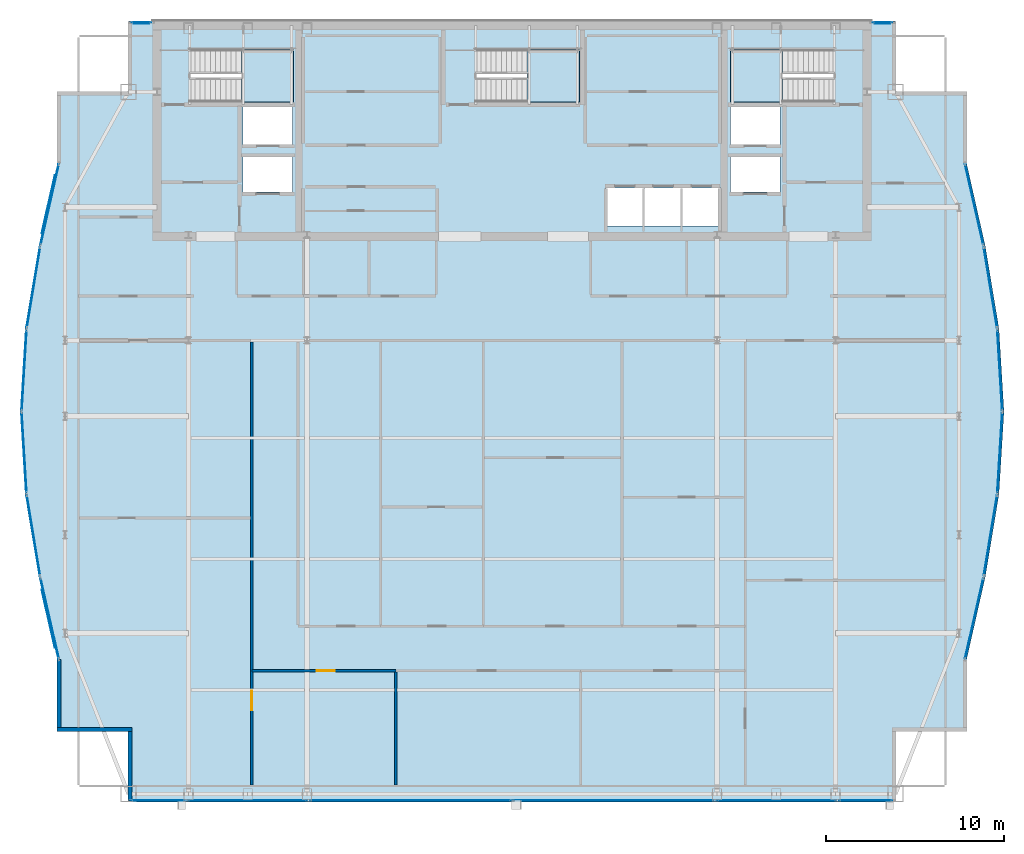
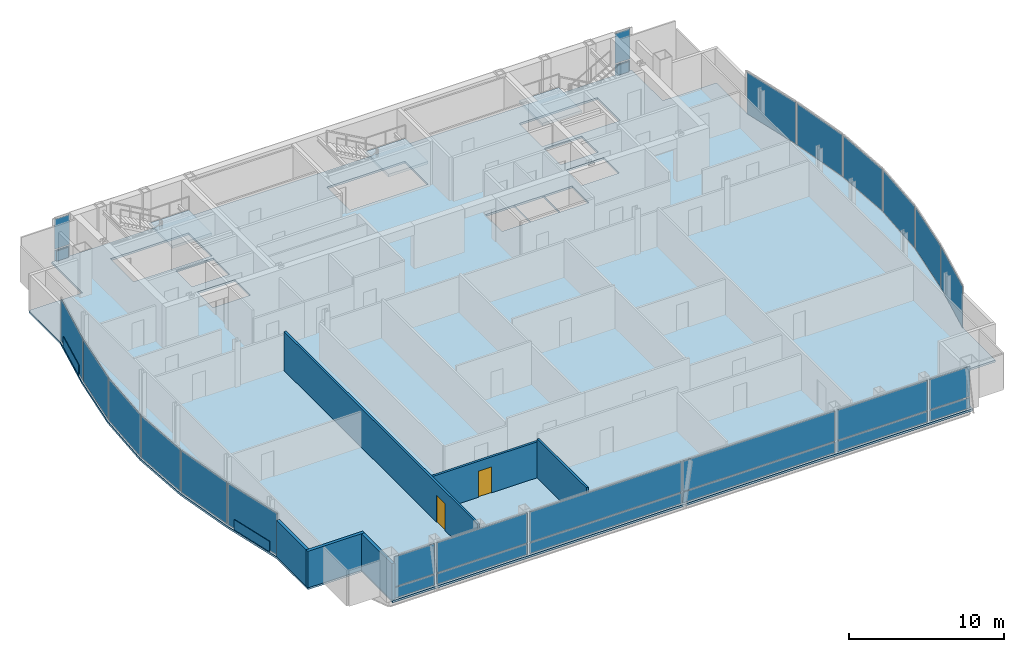
# One storey, part 23 of 29: 32 plates, 6 walls, 4 slabs, 2 doors, 2 openings, 22 elements without a shape of their own.
"""IFC4 building model written with IfcOpenShell, lengths in metres."""

from ifc_helpers import new_model, si_unit, direction, frame, frame_2d, origin, origin_2d, place, context, subcontext, project, spatial, polyline, rectangle, outline, extrude, material, layer, layer_set, type_object, element, fill, aggregate, save


model = new_model("IFC4")

# Units and contexts
model_context = context("Model", 3, precision=1e-05, world=origin(), true_north=direction((0.0, 1.0)))
body_context = subcontext(model_context, "Body", "Model", "MODEL_VIEW")
ifc_project = project(units=[si_unit("LENGTHUNIT", "METRE"), si_unit("AREAUNIT", "SQUARE_METRE"), si_unit("VOLUMEUNIT", "CUBIC_METRE"), si_unit("PLANEANGLEUNIT", "RADIAN"), si_unit("MASSUNIT", "GRAM", prefix="KILO")], contexts=[model_context])

# Site, building, storey
site_placement = place(None, origin())
site = spatial("IfcSite", under=ifc_project, at=site_placement, CompositionType="ELEMENT")
building_placement = place(site_placement, origin())
building = spatial("IfcBuilding", under=site, at=building_placement, Name="Khoronbel Lancet Exchange", CompositionType="ELEMENT")
storey_placement = place(building_placement, frame((0.0, 0.0, 318.199951171875)))
storey = spatial("IfcBuildingStorey", under=building, at=storey_placement, Name="L82", CompositionType="ELEMENT", Elevation=318.199951171875)

# Curtain wall, plate
ifc_material_1 = material(Name="Low-E Solar Control Insulating Glass", Category="glass")
curtain_wall_type_1 = type_object("IfcCurtainWallType", Name="CW-4", PredefinedType="NOTDEFINED", material=ifc_material_1)
curtain_wall_1_placement = place(storey_placement, origin())
curtain_wall_1 = element("IfcCurtainWall", 1, at=curtain_wall_1_placement, inside=storey, type_object=curtain_wall_type_1, Name="Unitised curtain wall CW-L82-E04", PredefinedType="NOTDEFINED")
ifc_material_2 = material(Name="Bronze-Anodised Aluminium 6063-T6", Category="aluminium")
ifc_layer_1 = layer(ifc_material_2, 0.050048828125, Name="Bronze-Anodised Aluminium 6063-T6")
ifc_layer_set_1 = layer_set([ifc_layer_1], Name="Bronze-Anodised Aluminium 6063-T6")
plate_type_1 = type_object("IfcPlateType", Name="PLT-CSP1", PredefinedType="SHEET", material=ifc_layer_set_1)
plate_1_placement = place(storey_placement, frame((10.3525390625, 20.03369140625, 0.0498046875), z_axis=(0.0, 0.0, 1.0), x_axis=(-0.220738011804, 0.975333138033, 0.0)))
plate_1 = element("IfcPlate", 2, at=plate_1_placement, type_object=plate_type_1, Name="Insulated bronze spandrel cassette CW-L82-E04", PredefinedType="SHEET", context=body_context, shape_type="SweptSolid", body=[
    extrude(rectangle(XDim=3.3544921875, YDim=0.050048828125, at=origin_2d()), origin(), (0.0, 0.0, 1.0), 0.800048828125),
])

curtain_wall_2_placement = place(storey_placement, origin())
curtain_wall_2 = element("IfcCurtainWall", 3, at=curtain_wall_2_placement, inside=storey, type_object=curtain_wall_type_1, Name="Unitised curtain wall CW-L82-E05", PredefinedType="NOTDEFINED")
plate_2_placement = place(storey_placement, frame((9.49609375, 24.713623046875, 0.0849609375), z_axis=(0.0, 0.0, 1.0), x_axis=(-0.163478737362, 0.986546857696, 0.0)))
plate_2 = element("IfcPlate", 4, at=plate_2_placement, type_object=plate_type_1, Name="CW4 panel 1.1", PredefinedType="CURTAIN_PANEL", context=body_context, shape_type="SweptSolid", body=[
    extrude(rectangle(XDim=4.572998046875, YDim=0.0380859375, at=origin_2d()), origin(), (0.0, 0.0, 1.0), 3.27001953125),
])
aggregate(curtain_wall_2, [plate_2])

curtain_wall_3_placement = place(storey_placement, origin())
curtain_wall_3 = element("IfcCurtainWall", 5, at=curtain_wall_3_placement, inside=storey, type_object=curtain_wall_type_1, Name="Unitised curtain wall CW-L82-E06", PredefinedType="NOTDEFINED")
plate_3_placement = place(storey_placement, frame((8.968994140625, 29.37158203125, 0.0849609375), z_axis=(0.0, 0.0, 1.0), x_axis=(-0.06053389138, 0.998166142481, 0.0)))
plate_3 = element("IfcPlate", 6, at=plate_3_placement, type_object=plate_type_1, Name="CW4 panel 1.1", PredefinedType="CURTAIN_PANEL", context=body_context, shape_type="SweptSolid", body=[
    extrude(rectangle(XDim=4.51513671875, YDim=0.0380859375, at=origin_2d()), origin(), (0.0, 0.0, 1.0), 3.27001953125),
])
aggregate(curtain_wall_3, [plate_3])

curtain_wall_4_placement = place(storey_placement, origin())
curtain_wall_4 = element("IfcCurtainWall", 7, at=curtain_wall_4_placement, inside=storey, type_object=curtain_wall_type_1, Name="Unitised curtain wall CW-L82-E07", PredefinedType="NOTDEFINED")
plate_4_placement = place(storey_placement, frame((8.968994140625, 34.0283203125, 0.0849609375), z_axis=(0.0, 0.0, 1.0), x_axis=(0.06053389138, 0.998166142481, 0.0)))
plate_4 = element("IfcPlate", 8, at=plate_4_placement, type_object=plate_type_1, Name="CW4 panel 1.1", PredefinedType="CURTAIN_PANEL", context=body_context, shape_type="SweptSolid", body=[
    extrude(rectangle(XDim=4.51513671875, YDim=0.0380859375, at=origin_2d()), origin(), (0.0, 0.0, 1.0), 3.27001953125),
])
aggregate(curtain_wall_4, [plate_4])

curtain_wall_5_placement = place(storey_placement, origin())
curtain_wall_5 = element("IfcCurtainWall", 9, at=curtain_wall_5_placement, inside=storey, type_object=curtain_wall_type_1, Name="Unitised curtain wall CW-L82-E08", PredefinedType="NOTDEFINED")
plate_5_placement = place(storey_placement, frame((9.49609375, 38.686279296875, 0.0849609375), z_axis=(0.0, 0.0, 1.0), x_axis=(0.163478737362, 0.986546857696, 0.0)))
plate_5 = element("IfcPlate", 10, at=plate_5_placement, type_object=plate_type_1, Name="CW4 panel 1.1", PredefinedType="CURTAIN_PANEL", context=body_context, shape_type="SweptSolid", body=[
    extrude(rectangle(XDim=4.572998046875, YDim=0.0380859375, at=origin_2d()), origin(), (0.0, 0.0, 1.0), 3.27001953125),
])
aggregate(curtain_wall_5, [plate_5])

curtain_wall_6_placement = place(storey_placement, origin())
curtain_wall_6 = element("IfcCurtainWall", 11, at=curtain_wall_6_placement, inside=storey, type_object=curtain_wall_type_1, Name="Unitised curtain wall CW-L82-E09", PredefinedType="NOTDEFINED")
plate_6_placement = place(storey_placement, frame((10.3525390625, 43.3662109375, 0.0498046875), z_axis=(0.0, 0.0, 1.0), x_axis=(0.220738011804, 0.975333138033, 0.0)))
plate_6 = element("IfcPlate", 12, at=plate_6_placement, type_object=plate_type_1, Name="Insulated bronze spandrel cassette CW-L82-E09", PredefinedType="SHEET", context=body_context, shape_type="SweptSolid", body=[
    extrude(rectangle(XDim=3.3544921875, YDim=0.050048828125, at=origin_2d()), origin(), (0.0, 0.0, 1.0), 0.800048828125),
])

curtain_wall_type_2 = type_object("IfcCurtainWallType", Name="CW-3", PredefinedType="NOTDEFINED", material=ifc_material_1)
curtain_wall_7_placement = place(storey_placement, origin())
curtain_wall_7 = element("IfcCurtainWall", 13, at=curtain_wall_7_placement, inside=storey, type_object=curtain_wall_type_2, Name="Unitised curtain wall CW-L82-NWFLK", PredefinedType="NOTDEFINED")
plate_7_placement = place(storey_placement, frame((15.580078125, 53.550048828125, 0.0498046875), z_axis=(0.0, 0.0, 1.0), x_axis=(-1.0, 0.0, 0.0)))
plate_7 = element("IfcPlate", 14, at=plate_7_placement, type_object=plate_type_1, Name="Insulated bronze spandrel cassette CW-L82-NWFLK", PredefinedType="SHEET", context=body_context, shape_type="SweptSolid", body=[
    extrude(rectangle(XDim=0.89599609375, YDim=0.050048828125, at=origin_2d()), origin(), (0.0, 0.0, 1.0), 0.800048828125),
])

curtain_wall_8_placement = place(storey_placement, origin())
curtain_wall_8 = element("IfcCurtainWall", 15, at=curtain_wall_8_placement, inside=storey, type_object=curtain_wall_type_2, Name="Unitised curtain wall CW-L82-NEFLK", PredefinedType="NOTDEFINED")
plate_8_placement = place(storey_placement, frame((57.320068359375, 53.550048828125, 0.0498046875), z_axis=(0.0, 0.0, 1.0), x_axis=(-1.0, 0.0, 0.0)))
plate_8 = element("IfcPlate", 16, at=plate_8_placement, type_object=plate_type_1, Name="Insulated bronze spandrel cassette CW-L82-NEFLK", PredefinedType="SHEET", context=body_context, shape_type="SweptSolid", body=[
    extrude(rectangle(XDim=0.89599609375, YDim=0.050048828125, at=origin_2d()), origin(), (0.0, 0.0, 1.0), 0.800048828125),
])

curtain_wall_9_placement = place(storey_placement, origin())
curtain_wall_9 = element("IfcCurtainWall", 17, at=curtain_wall_9_placement, inside=storey, type_object=curtain_wall_type_1, Name="Unitised curtain wall CW-L82-E18", PredefinedType="NOTDEFINED")
plate_9_placement = place(storey_placement, frame((63.40380859375, 38.686279296875, 0.0849609375), z_axis=(0.0, 0.0, 1.0), x_axis=(0.163478737362, -0.986546857696, 0.0)))
plate_9 = element("IfcPlate", 18, at=plate_9_placement, type_object=plate_type_1, Name="CW4 panel 1.1", PredefinedType="CURTAIN_PANEL", context=body_context, shape_type="SweptSolid", body=[
    extrude(rectangle(XDim=4.572998046875, YDim=0.0380859375, at=origin_2d()), origin(), (0.0, 0.0, 1.0), 3.27001953125),
])
aggregate(curtain_wall_9, [plate_9])

curtain_wall_10_placement = place(storey_placement, origin())
curtain_wall_10 = element("IfcCurtainWall", 19, at=curtain_wall_10_placement, inside=storey, type_object=curtain_wall_type_1, Name="Unitised curtain wall CW-L82-E19", PredefinedType="NOTDEFINED")
plate_10_placement = place(storey_placement, frame((63.93115234375, 34.0283203125, 0.0849609375), z_axis=(0.0, 0.0, 1.0), x_axis=(0.06053389138, -0.998166142481, 0.0)))
plate_10 = element("IfcPlate", 20, at=plate_10_placement, type_object=plate_type_1, Name="CW4 panel 1.1", PredefinedType="CURTAIN_PANEL", context=body_context, shape_type="SweptSolid", body=[
    extrude(rectangle(XDim=4.51513671875, YDim=0.0380859375, at=origin_2d()), origin(), (0.0, 0.0, 1.0), 3.27001953125),
])
aggregate(curtain_wall_10, [plate_10])

curtain_wall_11_placement = place(storey_placement, origin())
curtain_wall_11 = element("IfcCurtainWall", 21, at=curtain_wall_11_placement, inside=storey, type_object=curtain_wall_type_1, Name="Unitised curtain wall CW-L82-E20", PredefinedType="NOTDEFINED")
plate_11_placement = place(storey_placement, frame((63.93115234375, 29.37158203125, 0.0849609375), z_axis=(0.0, 0.0, 1.0), x_axis=(-0.06053389138, -0.998166142481, 0.0)))
plate_11 = element("IfcPlate", 22, at=plate_11_placement, type_object=plate_type_1, Name="CW4 panel 1.1", PredefinedType="CURTAIN_PANEL", context=body_context, shape_type="SweptSolid", body=[
    extrude(rectangle(XDim=4.51513671875, YDim=0.0380859375, at=origin_2d()), origin(), (0.0, 0.0, 1.0), 3.27001953125),
])
aggregate(curtain_wall_11, [plate_11])

curtain_wall_12_placement = place(storey_placement, origin())
curtain_wall_12 = element("IfcCurtainWall", 23, at=curtain_wall_12_placement, inside=storey, type_object=curtain_wall_type_1, Name="Unitised curtain wall CW-L82-E21", PredefinedType="NOTDEFINED")
plate_12_placement = place(storey_placement, frame((63.40380859375, 24.713623046875, 0.0849609375), z_axis=(0.0, 0.0, 1.0), x_axis=(-0.163478737362, -0.986546857696, 0.0)))
plate_12 = element("IfcPlate", 24, at=plate_12_placement, type_object=plate_type_1, Name="CW4 panel 1.1", PredefinedType="CURTAIN_PANEL", context=body_context, shape_type="SweptSolid", body=[
    extrude(rectangle(XDim=4.572998046875, YDim=0.0380859375, at=origin_2d()), origin(), (0.0, 0.0, 1.0), 3.27001953125),
])
aggregate(curtain_wall_12, [plate_12])

# Curtain wall, plates
curtain_wall_13_placement = place(storey_placement, origin())
curtain_wall_13 = element("IfcCurtainWall", 25, at=curtain_wall_13_placement, inside=storey, type_object=curtain_wall_type_2, Name="Unitised curtain wall CW-L82-SWB", PredefinedType="NOTDEFINED")
plate_13_placement = place(storey_placement, frame((21.550048828125, 9.7900390625, 0.0849609375), z_axis=(0.0, 0.0, 1.0), x_axis=(1.0, 0.0, 0.0)))
plate_13 = element("IfcPlate", 26, at=plate_13_placement, type_object=plate_type_1, Name="CW3 panel 1.1", PredefinedType="CURTAIN_PANEL", context=body_context, shape_type="SweptSolid", body=[
    extrude(rectangle(XDim=6.72998046875, YDim=0.0380859375, at=origin_2d()), origin(), (0.0, 0.0, 1.0), 0.822509765625),
])
plate_14_placement = place(storey_placement, frame((21.550048828125, 9.7900390625, 0.99267578125), z_axis=(0.0, 0.0, 1.0), x_axis=(1.0, 0.0, 0.0)))
plate_14 = element("IfcPlate", 27, at=plate_14_placement, type_object=plate_type_1, Name="CW3 panel 1.2", PredefinedType="CURTAIN_PANEL", context=body_context, shape_type="SweptSolid", body=[
    extrude(rectangle(XDim=6.72998046875, YDim=0.0380859375, at=origin_2d()), origin(), (0.0, 0.0, 1.0), 2.362548828125),
])
aggregate(curtain_wall_13, [plate_13, plate_14])

curtain_wall_14_placement = place(storey_placement, origin())
curtain_wall_14 = element("IfcCurtainWall", 28, at=curtain_wall_14_placement, inside=storey, type_object=curtain_wall_type_2, Name="Unitised curtain wall CW-L82-SEB", PredefinedType="NOTDEFINED")
plate_15_placement = place(storey_placement, frame((51.35009765625, 9.7900390625, 0.0849609375), z_axis=(0.0, 0.0, 1.0), x_axis=(1.0, 0.0, 0.0)))
plate_15 = element("IfcPlate", 29, at=plate_15_placement, type_object=plate_type_1, Name="CW3 panel 1.1", PredefinedType="CURTAIN_PANEL", context=body_context, shape_type="SweptSolid", body=[
    extrude(rectangle(XDim=6.72998046875, YDim=0.0380859375, at=origin_2d()), origin(), (0.0, 0.0, 1.0), 0.822509765625),
])
plate_16_placement = place(storey_placement, frame((51.35009765625, 9.7900390625, 0.99267578125), z_axis=(0.0, 0.0, 1.0), x_axis=(1.0, 0.0, 0.0)))
plate_16 = element("IfcPlate", 30, at=plate_16_placement, type_object=plate_type_1, Name="CW3 panel 1.2", PredefinedType="CURTAIN_PANEL", context=body_context, shape_type="SweptSolid", body=[
    extrude(rectangle(XDim=6.72998046875, YDim=0.0380859375, at=origin_2d()), origin(), (0.0, 0.0, 1.0), 2.362548828125),
])
aggregate(curtain_wall_14, [plate_15, plate_16])

# Plate
ifc_layer_2 = layer(ifc_material_1, 0.035888671875, Name="Low-E Solar Control Insulating Glass")
ifc_layer_set_2 = layer_set([ifc_layer_2], Name="Low-E Solar Control Insulating Glass")
plate_type_2 = type_object("IfcPlateType", Name="PLT-CWP1", PredefinedType="CURTAIN_PANEL", material=ifc_layer_set_2)
plate_17_placement = place(storey_placement, frame((15.580078125, 53.610107421875, 0.0849609375), z_axis=(0.0, 0.0, 1.0), x_axis=(-1.0, 0.0, 0.0)))
plate_17 = element("IfcPlate", 31, at=plate_17_placement, type_object=plate_type_2, Name="CW3 panel 1.1", PredefinedType="CURTAIN_PANEL", context=body_context, shape_type="SweptSolid", body=[
    extrude(rectangle(XDim=1.110107421875, YDim=0.0380859375, at=origin_2d()), origin(), (0.0, 0.0, 1.0), 0.822509765625),
])

plate_18_placement = place(storey_placement, frame((15.580078125, 53.610107421875, 0.99267578125), z_axis=(0.0, 0.0, 1.0), x_axis=(-1.0, 0.0, 0.0)))
plate_18 = element("IfcPlate", 32, at=plate_18_placement, type_object=plate_type_2, Name="CW3 panel 1.2", PredefinedType="CURTAIN_PANEL", context=body_context, shape_type="SweptSolid", body=[
    extrude(rectangle(XDim=1.110107421875, YDim=0.0380859375, at=origin_2d()), origin(), (0.0, 0.0, 1.0), 2.362548828125),
])

aggregate(curtain_wall_7, [plate_17, plate_18, plate_7])

plate_19_placement = place(storey_placement, frame((57.320068359375, 53.610107421875, 0.0849609375), z_axis=(0.0, 0.0, 1.0), x_axis=(-1.0, 0.0, 0.0)))
plate_19 = element("IfcPlate", 33, at=plate_19_placement, type_object=plate_type_2, Name="CW3 panel 1.1", PredefinedType="CURTAIN_PANEL", context=body_context, shape_type="SweptSolid", body=[
    extrude(rectangle(XDim=1.110107421875, YDim=0.0380859375, at=origin_2d()), origin(), (0.0, 0.0, 1.0), 0.822509765625),
])

plate_20_placement = place(storey_placement, frame((57.320068359375, 53.610107421875, 0.99267578125), z_axis=(0.0, 0.0, 1.0), x_axis=(-1.0, 0.0, 0.0)))
plate_20 = element("IfcPlate", 34, at=plate_20_placement, type_object=plate_type_2, Name="CW3 panel 1.2", PredefinedType="CURTAIN_PANEL", context=body_context, shape_type="SweptSolid", body=[
    extrude(rectangle(XDim=1.110107421875, YDim=0.0380859375, at=origin_2d()), origin(), (0.0, 0.0, 1.0), 2.362548828125),
])

aggregate(curtain_wall_8, [plate_19, plate_20, plate_8])

# Curtain wall, plates
curtain_wall_15_placement = place(storey_placement, origin())
curtain_wall_15 = element("IfcCurtainWall", 35, at=curtain_wall_15_placement, inside=storey, type_object=curtain_wall_type_2, Name="Unitised curtain wall CW-L82-SWV", PredefinedType="NOTDEFINED")
plate_21_placement = place(storey_placement, frame((16.52001953125, 9.7900390625, 0.0849609375), z_axis=(0.0, 0.0, 1.0), x_axis=(1.0, 0.0, 0.0)))
plate_21 = element("IfcPlate", 36, at=plate_21_placement, type_object=plate_type_2, Name="CW3 panel 1.1", PredefinedType="CURTAIN_PANEL", context=body_context, shape_type="SweptSolid", body=[
    extrude(rectangle(XDim=2.989990234375, YDim=0.0380859375, at=origin_2d()), origin(), (0.0, 0.0, 1.0), 0.822509765625),
])
plate_22_placement = place(storey_placement, frame((16.52001953125, 9.7900390625, 0.99267578125), z_axis=(0.0, 0.0, 1.0), x_axis=(1.0, 0.0, 0.0)))
plate_22 = element("IfcPlate", 37, at=plate_22_placement, type_object=plate_type_2, Name="CW3 panel 1.2", PredefinedType="CURTAIN_PANEL", context=body_context, shape_type="SweptSolid", body=[
    extrude(rectangle(XDim=2.989990234375, YDim=0.0380859375, at=origin_2d()), origin(), (0.0, 0.0, 1.0), 2.362548828125),
])
aggregate(curtain_wall_15, [plate_21, plate_22])

curtain_wall_16_placement = place(storey_placement, origin())
curtain_wall_16 = element("IfcCurtainWall", 38, at=curtain_wall_16_placement, inside=storey, type_object=curtain_wall_type_2, Name="Unitised curtain wall CW-L82-SCV", PredefinedType="NOTDEFINED")
plate_23_placement = place(storey_placement, frame((30.746337890625, 9.7900390625, 0.0849609375), z_axis=(0.0, 0.0, 1.0), x_axis=(1.0, 0.0, 0.0)))
plate_23 = element("IfcPlate", 39, at=plate_23_placement, type_object=plate_type_2, Name="CW3 panel 1.1", PredefinedType="CURTAIN_PANEL", context=body_context, shape_type="SweptSolid", body=[
    extrude(rectangle(XDim=11.322509765625, YDim=0.0380859375, at=origin_2d()), origin(), (0.0, 0.0, 1.0), 0.822509765625),
])
plate_24_placement = place(storey_placement, frame((30.746337890625, 9.7900390625, 0.99267578125), z_axis=(0.0, 0.0, 1.0), x_axis=(1.0, 0.0, 0.0)))
plate_24 = element("IfcPlate", 40, at=plate_24_placement, type_object=plate_type_2, Name="CW3 panel 1.2", PredefinedType="CURTAIN_PANEL", context=body_context, shape_type="SweptSolid", body=[
    extrude(rectangle(XDim=11.322509765625, YDim=0.0380859375, at=origin_2d()), origin(), (0.0, 0.0, 1.0), 2.362548828125),
])
plate_25_placement = place(storey_placement, frame((42.15380859375, 9.7900390625, 0.0849609375), z_axis=(0.0, 0.0, 1.0), x_axis=(1.0, 0.0, 0.0)))
plate_25 = element("IfcPlate", 41, at=plate_25_placement, type_object=plate_type_2, Name="CW3 panel 2.1", PredefinedType="CURTAIN_PANEL", context=body_context, shape_type="SweptSolid", body=[
    extrude(rectangle(XDim=11.322509765625, YDim=0.0380859375, at=origin_2d()), origin(), (0.0, 0.0, 1.0), 0.822509765625),
])
plate_26_placement = place(storey_placement, frame((42.15380859375, 9.7900390625, 0.99267578125), z_axis=(0.0, 0.0, 1.0), x_axis=(1.0, 0.0, 0.0)))
plate_26 = element("IfcPlate", 42, at=plate_26_placement, type_object=plate_type_2, Name="CW3 panel 2.2", PredefinedType="CURTAIN_PANEL", context=body_context, shape_type="SweptSolid", body=[
    extrude(rectangle(XDim=11.322509765625, YDim=0.0380859375, at=origin_2d()), origin(), (0.0, 0.0, 1.0), 2.362548828125),
])
aggregate(curtain_wall_16, [plate_23, plate_24, plate_25, plate_26])

curtain_wall_17_placement = place(storey_placement, origin())
curtain_wall_17 = element("IfcCurtainWall", 43, at=curtain_wall_17_placement, inside=storey, type_object=curtain_wall_type_2, Name="Unitised curtain wall CW-L82-SEV", PredefinedType="NOTDEFINED")
plate_27_placement = place(storey_placement, frame((56.3798828125, 9.7900390625, 0.0849609375), z_axis=(0.0, 0.0, 1.0), x_axis=(1.0, 0.0, 0.0)))
plate_27 = element("IfcPlate", 44, at=plate_27_placement, type_object=plate_type_2, Name="CW3 panel 1.1", PredefinedType="CURTAIN_PANEL", context=body_context, shape_type="SweptSolid", body=[
    extrude(rectangle(XDim=2.989990234375, YDim=0.0380859375, at=origin_2d()), origin(), (0.0, 0.0, 1.0), 0.822509765625),
])
plate_28_placement = place(storey_placement, frame((56.3798828125, 9.7900390625, 0.99267578125), z_axis=(0.0, 0.0, 1.0), x_axis=(1.0, 0.0, 0.0)))
plate_28 = element("IfcPlate", 45, at=plate_28_placement, type_object=plate_type_2, Name="CW3 panel 1.2", PredefinedType="CURTAIN_PANEL", context=body_context, shape_type="SweptSolid", body=[
    extrude(rectangle(XDim=2.989990234375, YDim=0.0380859375, at=origin_2d()), origin(), (0.0, 0.0, 1.0), 2.362548828125),
])
aggregate(curtain_wall_17, [plate_27, plate_28])

# Plate
ifc_material_3 = material(Name="Ceramic-Fritted Laminated Insulating Glass", Category="glass")
ifc_layer_3 = layer(ifc_material_3, 0.0419921875, Name="Ceramic-Fritted Laminated Insulating Glass")
ifc_layer_set_3 = layer_set([ifc_layer_3], Name="Ceramic-Fritted Laminated Insulating Glass")
plate_type_3 = type_object("IfcPlateType", Name="PLT-CWP2", PredefinedType="CURTAIN_PANEL", material=ifc_layer_set_3)
plate_29_placement = place(storey_placement, frame((10.4111328125, 20.047119140625, 0.0849609375), z_axis=(0.0, 0.0, 1.0), x_axis=(-0.220738011804, 0.975333138033, 0.0)))
plate_29 = element("IfcPlate", 46, at=plate_29_placement, type_object=plate_type_3, Name="CW4 panel 1.1", PredefinedType="CURTAIN_PANEL", context=body_context, shape_type="SweptSolid", body=[
    extrude(rectangle(XDim=4.64208984375, YDim=0.0380859375, at=origin_2d()), origin(), (0.0, 0.0, 1.0), 3.27001953125),
])

aggregate(curtain_wall_1, [plate_29, plate_1])

plate_30_placement = place(storey_placement, frame((10.4111328125, 43.35302734375, 0.0849609375), z_axis=(0.0, 0.0, 1.0), x_axis=(0.220738011804, 0.975333138033, 0.0)))
plate_30 = element("IfcPlate", 47, at=plate_30_placement, type_object=plate_type_3, Name="CW4 panel 1.1", PredefinedType="CURTAIN_PANEL", context=body_context, shape_type="SweptSolid", body=[
    extrude(rectangle(XDim=4.64208984375, YDim=0.0380859375, at=origin_2d()), origin(), (0.0, 0.0, 1.0), 3.27001953125),
])

aggregate(curtain_wall_6, [plate_30, plate_6])

# Curtain wall, plate
curtain_wall_18_placement = place(storey_placement, origin())
curtain_wall_18 = element("IfcCurtainWall", 48, at=curtain_wall_18_placement, inside=storey, type_object=curtain_wall_type_1, Name="Unitised curtain wall CW-L82-E17", PredefinedType="NOTDEFINED")
plate_31_placement = place(storey_placement, frame((62.489013671875, 43.35302734375, 0.0849609375), z_axis=(0.0, 0.0, 1.0), x_axis=(0.220738011804, -0.975333138033, 0.0)))
plate_31 = element("IfcPlate", 49, at=plate_31_placement, type_object=plate_type_3, Name="CW4 panel 1.1", PredefinedType="CURTAIN_PANEL", context=body_context, shape_type="SweptSolid", body=[
    extrude(rectangle(XDim=4.64208984375, YDim=0.0380859375, at=origin_2d()), origin(), (0.0, 0.0, 1.0), 3.27001953125),
])
aggregate(curtain_wall_18, [plate_31])

curtain_wall_19_placement = place(storey_placement, origin())
curtain_wall_19 = element("IfcCurtainWall", 50, at=curtain_wall_19_placement, inside=storey, type_object=curtain_wall_type_1, Name="Unitised curtain wall CW-L82-E22", PredefinedType="NOTDEFINED")
plate_32_placement = place(storey_placement, frame((62.489013671875, 20.047119140625, 0.0849609375), z_axis=(0.0, 0.0, 1.0), x_axis=(-0.220738011804, -0.975333138033, 0.0)))
plate_32 = element("IfcPlate", 51, at=plate_32_placement, type_object=plate_type_3, Name="CW4 panel 1.1", PredefinedType="CURTAIN_PANEL", context=body_context, shape_type="SweptSolid", body=[
    extrude(rectangle(XDim=4.64208984375, YDim=0.0380859375, at=origin_2d()), origin(), (0.0, 0.0, 1.0), 3.27001953125),
])
aggregate(curtain_wall_19, [plate_32])

# Slab
ifc_material_4 = material(Name="Concrete C40/50", Category="concrete")
ifc_layer_4 = layer(ifc_material_4, 0.159912109375, Name="Concrete C40/50")
ifc_layer_set_4 = layer_set([ifc_layer_4], Name="Concrete C40/50")
slab_type_1 = type_object("IfcSlabType", Name="SL-FL160", PredefinedType="FLOOR", material=ifc_layer_set_4)
slab_1_placement = place(storey_placement, frame((0.0, 0.0, -0.159912109375)))
element("IfcSlab", 52, at=slab_1_placement, inside=storey, type_object=slab_type_1, Name="Level L82 composite structural floor slab", PredefinedType="FLOOR", context=body_context, shape_type="SweptSolid", body=[
    extrude(outline(polyline([(14.85009765625, 9.699951171875), (58.050048828125, 9.699951171875), (58.050048828125, 13.699951171875), (62.050048828125, 13.699951171875), (62.050048828125, 17.699951171875), (63.106201171875, 22.36669921875), (63.87939453125, 27.033203125), (64.16259765625, 31.699951171875), (63.87939453125, 36.36669921875), (63.106201171875, 41.033203125), (62.050048828125, 45.699951171875), (62.050048828125, 49.699951171875), (58.050048828125, 49.699951171875), (58.050048828125, 53.699951171875), (14.85009765625, 53.699951171875), (14.85009765625, 49.699951171875), (10.85009765625, 49.699951171875), (10.85009765625, 45.699951171875), (9.793701171875, 41.033203125), (9.0205078125, 36.36669921875), (8.737548828125, 31.699951171875), (9.0205078125, 27.033203125), (9.793701171875, 22.36669921875), (10.85009765625, 17.699951171875), (10.85009765625, 13.699951171875), (14.85009765625, 13.699951171875), (14.85009765625, 9.699951171875)]), holes=[polyline([(18.324951171875, 49.1201171875), (24.14990234375, 49.1201171875), (24.14990234375, 52.10009765625), (18.324951171875, 52.10009765625), (18.324951171875, 49.1201171875)]), polyline([(48.75, 49.1201171875), (54.574951171875, 49.1201171875), (54.574951171875, 52.10009765625), (48.75, 52.10009765625), (48.75, 49.1201171875)]), polyline([(34.425048828125, 49.1201171875), (40.25, 49.1201171875), (40.25, 52.10009765625), (34.425048828125, 52.10009765625), (34.425048828125, 49.1201171875)]), polyline([(41.739990234375, 42.14990234375), (43.8798828125, 42.14990234375), (43.8798828125, 44.300048828125), (41.739990234375, 44.300048828125), (41.739990234375, 42.14990234375)]), polyline([(43.89990234375, 42.14990234375), (46.0400390625, 42.14990234375), (46.0400390625, 44.300048828125), (43.89990234375, 44.300048828125), (43.89990234375, 42.14990234375)]), polyline([(46.06005859375, 42.14990234375), (48.199951171875, 42.14990234375), (48.199951171875, 44.300048828125), (46.06005859375, 44.300048828125), (46.06005859375, 42.14990234375)]), polyline([(21.300048828125, 46.75), (24.10009765625, 46.75), (24.10009765625, 48.85009765625), (21.300048828125, 48.85009765625), (21.300048828125, 46.75)]), polyline([(48.75, 46.75), (51.550048828125, 46.75), (51.550048828125, 48.85009765625), (48.75, 48.85009765625), (48.75, 46.75)]), polyline([(21.300048828125, 44.050048828125), (24.10009765625, 44.050048828125), (24.10009765625, 46.050048828125), (21.300048828125, 46.050048828125), (21.300048828125, 44.050048828125)]), polyline([(48.75, 44.050048828125), (51.550048828125, 44.050048828125), (51.550048828125, 46.050048828125), (48.75, 46.050048828125), (48.75, 44.050048828125)])]), origin(), (0.0, 0.0, 1.0), 0.159912109375),
])

# Stair, slab
stair_type = type_object("IfcStairType", Name="STR-CORE150", PredefinedType="HALF_TURN_STAIR", material=ifc_material_4)
stair_1_placement = place(storey_placement, origin())
stair_1 = element("IfcStair", 53, at=stair_1_placement, inside=storey, type_object=stair_type, Name="L82 Protected Exit Stair ST1", PredefinedType="HALF_TURN_STAIR")
ifc_layer_5 = layer(ifc_material_4, 0.199951171875, Name="Concrete C40/50")
ifc_layer_set_5 = layer_set([ifc_layer_5], Name="Concrete C40/50")
slab_type_2 = type_object("IfcSlabType", Name="SL-LND180", PredefinedType="LANDING", material=ifc_layer_set_5)
slab_2_placement = place(storey_placement, frame((0.0, 0.0, 1.60009765625)))
slab_2 = element("IfcSlab", 54, at=slab_2_placement, type_object=slab_type_2, Name="ST1 landing 1", PredefinedType="LANDING", context=body_context, shape_type="SweptSolid", body=[
    extrude(outline(polyline([(21.199951171875, 49.1201171875), (24.14990234375, 49.1201171875), (24.14990234375, 52.10009765625), (21.199951171875, 52.10009765625), (21.199951171875, 49.1201171875)])), origin(), (0.0, 0.0, 1.0), 0.199951171875),
])
aggregate(stair_1, [slab_2])

stair_2_placement = place(storey_placement, origin())
stair_2 = element("IfcStair", 55, at=stair_2_placement, inside=storey, type_object=stair_type, Name="L82 Protected Exit Stair ST2", PredefinedType="HALF_TURN_STAIR")
slab_3_placement = place(storey_placement, frame((0.0, 0.0, 1.60009765625)))
slab_3 = element("IfcSlab", 56, at=slab_3_placement, type_object=slab_type_2, Name="ST2 landing 1", PredefinedType="LANDING", context=body_context, shape_type="SweptSolid", body=[
    extrude(outline(polyline([(51.699951171875, 52.10009765625), (48.75, 52.10009765625), (48.75, 49.1201171875), (51.699951171875, 49.1201171875), (51.699951171875, 52.10009765625)])), origin(), (0.0, 0.0, 1.0), 0.199951171875),
])
aggregate(stair_2, [slab_3])

stair_3_placement = place(storey_placement, origin())
stair_3 = element("IfcStair", 57, at=stair_3_placement, inside=storey, type_object=stair_type, Name="L82 Protected Exit Stair ST3", PredefinedType="HALF_TURN_STAIR")
slab_4_placement = place(storey_placement, frame((0.0, 0.0, 1.60009765625)))
slab_4 = element("IfcSlab", 58, at=slab_4_placement, type_object=slab_type_2, Name="ST3 landing 1", PredefinedType="LANDING", context=body_context, shape_type="SweptSolid", body=[
    extrude(outline(polyline([(37.300048828125, 49.1201171875), (40.25, 49.1201171875), (40.25, 52.10009765625), (37.300048828125, 52.10009765625), (37.300048828125, 49.1201171875)])), origin(), (0.0, 0.0, 1.0), 0.199951171875),
])
aggregate(stair_3, [slab_4])

# Walls
ifc_material_5 = material(Name="Precast concrete C40/50", Category="concrete")
ifc_layer_6 = layer(ifc_material_5, 0.25, Name="Precast concrete C40/50")
ifc_layer_set_6 = layer_set([ifc_layer_6], Name="Precast concrete C40/50")
wall_type_1 = type_object("IfcWallType", Name="WL-EXT250", PredefinedType="SOLIDWALL", material=ifc_layer_set_6)
wall_1_placement = place(storey_placement, frame((14.93994140625, 9.77001953125, 0.0), z_axis=(0.0, 0.0, 1.0), x_axis=(0.0, 1.0, 0.0)))
element("IfcWall", 59, at=wall_1_placement, inside=storey, type_object=wall_type_1, Name="Level L82 notched-corner limestone pier 01", PredefinedType="SOLIDWALL", context=body_context, shape_type="SweptSolid", body=[
    extrude(rectangle(XDim=3.909912109375, YDim=0.219970703125, at=frame_2d((1.955078125, 0.0))), origin(), (0.0, 0.0, 1.0), 2.880126953125),
])
wall_2_placement = place(storey_placement, frame((15.050048828125, 13.7900390625, 0.0), z_axis=(0.0, 0.0, 1.0), x_axis=(-1.0, 0.0, 0.0)))
element("IfcWall", 60, at=wall_2_placement, inside=storey, type_object=wall_type_1, Name="Level L82 notched-corner limestone pier 02", PredefinedType="SOLIDWALL", context=body_context, shape_type="SweptSolid", body=[
    extrude(rectangle(XDim=4.219970703125, YDim=0.219970703125, at=frame_2d((2.10986328125, 0.0))), origin(), (0.0, 0.0, 1.0), 2.880126953125),
])
wall_3_placement = place(storey_placement, frame((10.93994140625, 13.89990234375, 0.0), z_axis=(0.0, 0.0, 1.0), x_axis=(0.0, 1.0, 0.0)))
element("IfcWall", 61, at=wall_3_placement, inside=storey, type_object=wall_type_1, Name="Level L82 notched-corner limestone pier 03", PredefinedType="SOLIDWALL", context=body_context, shape_type="SweptSolid", body=[
    extrude(rectangle(XDim=3.830078125, YDim=0.219970703125, at=frame_2d((1.9150390625, 0.0))), origin(), (0.0, 0.0, 1.0), 2.880126953125),
])

# Wall, opening, door
ifc_material_6 = material(Name="Fire-Rated Twin-Stud Acoustic Gypsum Partition 150 mm", Category="gypsum")
ifc_layer_7 = layer(ifc_material_6, 0.14990234375, Name="Fire-Rated Twin-Stud Acoustic Gypsum Partition 150 mm")
ifc_layer_set_7 = layer_set([ifc_layer_7], Name="Fire-Rated Twin-Stud Acoustic Gypsum Partition 150 mm")
wall_type_2 = type_object("IfcWallType", Name="WL-PRT150C", PredefinedType="PARTITIONING", material=ifc_layer_set_7)
wall_4_placement = place(storey_placement, frame((21.800048828125, 10.6650390625, 0.0), z_axis=(0.0, 0.0, 1.0), x_axis=(0.0, 1.0, 0.0)))
wall_4 = element("IfcWall", 62, at=wall_4_placement, inside=storey, type_object=wall_type_2, Name="Level L82 interior partition PW-Z4-WW", PredefinedType="PARTITIONING", context=body_context, shape_type="SweptSolid", body=[
    extrude(rectangle(XDim=24.955078125, YDim=0.14990234375, at=frame_2d((12.4775390625, 0.0))), origin(), (0.0, 0.0, 1.0), 3.070068359375),
])
opening_1_placement = place(wall_4_placement, frame((4.199951171875, 0.0, 0.0)))
opening_1 = element("IfcOpeningElement", 63, at=opening_1_placement, cuts=wall_4, Name="Opening D6", PredefinedType="OPENING", context=body_context, shape_type="SweptSolid", body=[
    extrude(rectangle(XDim=1.10009765625, YDim=2.10009765625, at=frame_2d((0.550048828125, 1.050048828125))), frame((0.0, 0.0849609375, 0.0), z_axis=(0.0, -1.0, 0.0), x_axis=(1.0, 0.0, 0.0)), (0.0, 0.0, 1.0), 0.169921875),
])
ifc_material_7 = material(Name="Acoustic Bronze-Veneer Executive Suite Door", Category="wood")
door_type_1 = type_object("IfcDoorType", Name="DR-D6", OperationType="NOTDEFINED", PredefinedType="DOOR", material=ifc_material_7)
door_1_placement = place(opening_1_placement, origin())
door_1 = element("IfcDoor", 64, at=door_1_placement, inside=storey, type_object=door_type_1, Name="West lens presidential door L82-1", OperationType="SINGLE_SWING_LEFT", OverallHeight=2.10009765625, OverallWidth=1.10009765625, PredefinedType="DOOR", context=body_context, shape_type="SweptSolid", body=[
    extrude(rectangle(XDim=1.10009765625, YDim=2.10009765625, at=frame_2d((0.550048828125, 1.050048828125))), frame((0.0, 0.02490234375, 0.0), z_axis=(0.0, -1.0, 0.0), x_axis=(1.0, 0.0, 0.0)), (0.0, 0.0, 1.0), 0.050048828125),
])
fill(opening_1, door_1)

# Wall
wall_5_placement = place(storey_placement, frame((29.902587890625, 10.6650390625, 0.0), z_axis=(0.0, 0.0, 1.0), x_axis=(0.0, 1.0, 0.0)))
element("IfcWall", 65, at=wall_5_placement, inside=storey, type_object=wall_type_2, Name="Level L82 interior partition PW-Z4S-V1", PredefinedType="PARTITIONING", context=body_context, shape_type="SweptSolid", body=[
    extrude(rectangle(XDim=6.349853515625, YDim=0.14990234375, at=frame_2d((3.1748046875, 0.0))), origin(), (0.0, 0.0, 1.0), 3.070068359375),
])

# Wall, opening, door
ifc_material_8 = material(Name="Fire-Rated Twin-Stud Acoustic Gypsum Partition 160 mm", Category="gypsum")
ifc_layer_8 = layer(ifc_material_8, 0.159912109375, Name="Fire-Rated Twin-Stud Acoustic Gypsum Partition 160 mm")
ifc_layer_set_8 = layer_set([ifc_layer_8], Name="Fire-Rated Twin-Stud Acoustic Gypsum Partition 160 mm")
wall_type_3 = type_object("IfcWallType", Name="WL-PRT160C", PredefinedType="PARTITIONING", material=ifc_layer_set_8)
wall_6_placement = place(storey_placement, frame((21.800048828125, 17.10009765625, 0.0), z_axis=(0.0, 0.0, 1.0), x_axis=(1.0, 0.0, 0.0)))
wall_6 = element("IfcWall", 66, at=wall_6_placement, inside=storey, type_object=wall_type_3, Name="Level L82 interior partition PW-Z4S-COR1", PredefinedType="PARTITIONING", context=body_context, shape_type="SweptSolid", body=[
    extrude(rectangle(XDim=8.1025390625, YDim=0.159912109375, at=frame_2d((4.05126953125, 0.0))), origin(), (0.0, 0.0, 1.0), 2.830078125),
])
opening_2_placement = place(wall_6_placement, frame((3.653076171875, 0.0, 0.0)))
opening_2 = element("IfcOpeningElement", 67, at=opening_2_placement, cuts=wall_6, Name="Opening D2", PredefinedType="OPENING", context=body_context, shape_type="SweptSolid", body=[
    extrude(rectangle(XDim=1.0, YDim=2.050048828125, at=frame_2d((0.5, 1.02490234375))), frame((0.0, 0.08984375, 0.0), z_axis=(0.0, -1.0, 0.0), x_axis=(1.0, 0.0, 0.0)), (0.0, 0.0, 1.0), 0.179931640625),
])
ifc_material_9 = material(Name="Acoustic Veneered Timber & Bronze Frame Door", Category="wood")
door_type_2 = type_object("IfcDoorType", Name="DR-D2", OperationType="NOTDEFINED", PredefinedType="DOOR", material=ifc_material_9)
door_2_placement = place(opening_2_placement, origin())
door_2 = element("IfcDoor", 68, at=door_2_placement, inside=storey, type_object=door_type_2, Name="Z4S bay 1 door L82-1", OperationType="SINGLE_SWING_RIGHT", OverallHeight=2.050048828125, OverallWidth=1.0, PredefinedType="DOOR", context=body_context, shape_type="SweptSolid", body=[
    extrude(rectangle(XDim=1.0, YDim=2.050048828125, at=frame_2d((0.5, 1.02490234375))), frame((0.0, 0.02490234375, 0.0), z_axis=(0.0, -1.0, 0.0), x_axis=(1.0, 0.0, 0.0)), (0.0, 0.0, 1.0), 0.050048828125),
])
fill(opening_2, door_2)

save(model, "model.ifc")
